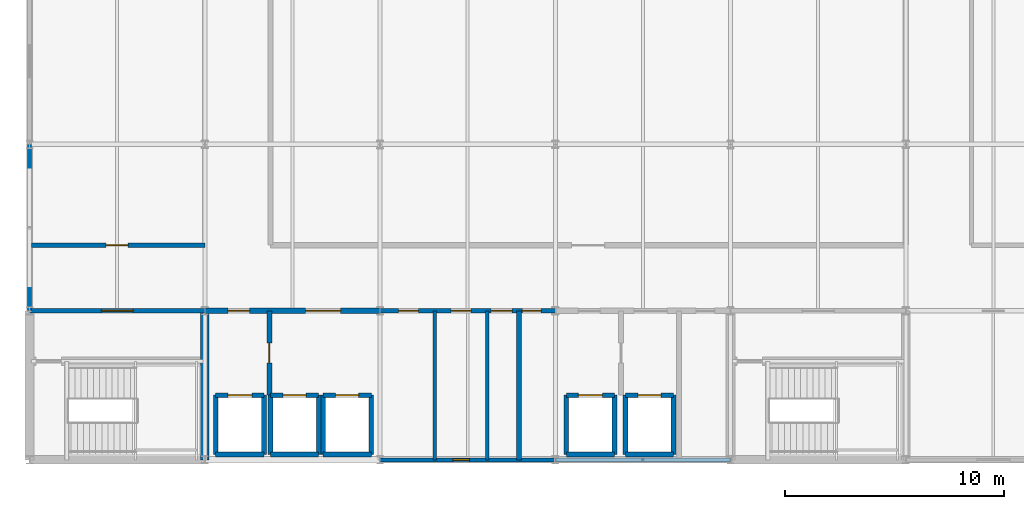
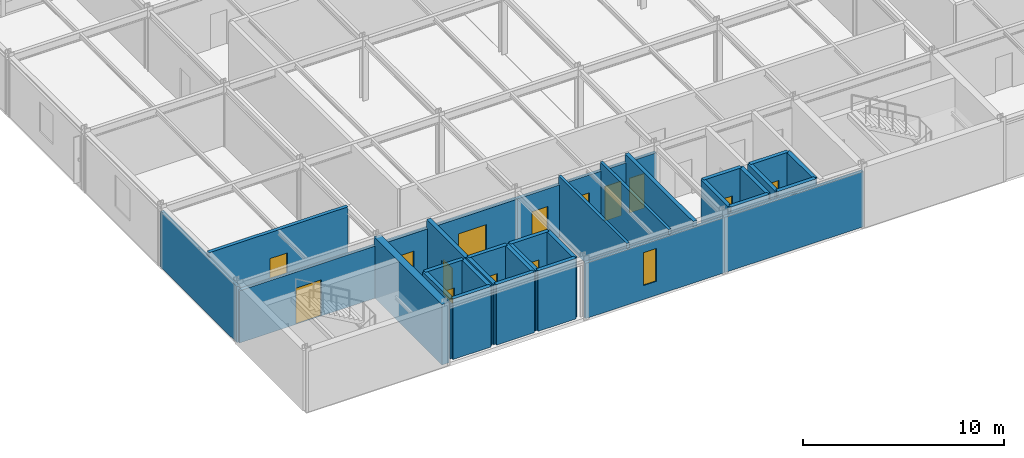
# One storey, part 11 of 15: 32 walls, 14 doors, 1 window, 15 openings.
"""IFC4 building model written with IfcOpenShell, lengths in metres."""

from ifc_helpers import new_model, si_unit, direction, frame, frame_2d, origin, place, context, subcontext, project, spatial, rectangle, extrude, material, layer, layer_set, type_object, element, fill, save


model = new_model("IFC4")

# Units and contexts
model_context = context("Model", 3, precision=1e-05, world=origin(), true_north=direction((0.0, 1.0)))
body_context = subcontext(model_context, "Body", "Model", "MODEL_VIEW")
ifc_project = project(units=[si_unit("LENGTHUNIT", "METRE"), si_unit("AREAUNIT", "SQUARE_METRE"), si_unit("VOLUMEUNIT", "CUBIC_METRE"), si_unit("PLANEANGLEUNIT", "RADIAN"), si_unit("MASSUNIT", "GRAM", prefix="KILO")], contexts=[model_context])

# Site, building, storey
site_placement = place(None, origin())
site = spatial("IfcSite", under=ifc_project, at=site_placement, CompositionType="ELEMENT")
building_placement = place(site_placement, origin())
building = spatial("IfcBuilding", under=site, at=building_placement, Name="Shalkamar Park Central Library", CompositionType="ELEMENT")
storey_placement = place(building_placement, frame((0.0, 0.0, 39.89990234375)))
storey = spatial("IfcBuildingStorey", under=building, at=storey_placement, Name="L10", CompositionType="ELEMENT", Elevation=39.89990234375)

# Wall, opening, door
ifc_material_1 = material(Name="Reinforced fire-compartment masonry wall", Category="masonry")
ifc_layer_1 = layer(ifc_material_1, 0.239990234375)
ifc_layer_set_1 = layer_set([ifc_layer_1], Name="CompartmentWall_240")
wall_type_1 = type_object("IfcWallType", Name="Compartment Wall 240", PredefinedType="PARTITIONING", material=ifc_layer_set_1)
wall_1_placement = place(storey_placement, frame((175.949951171875, 251.35009765625, 0.0), z_axis=(0.0, 0.0, 1.0), x_axis=(0.0, 1.0, 0.0)))
wall_1 = element("IfcWall", 1, at=wall_1_placement, inside=storey, type_object=wall_type_1, Name="Interior Partition WL-INT-L10-001", PredefinedType="PARTITIONING", context=body_context, shape_type="SweptSolid", body=[
    extrude(rectangle(XDim=3.849853515625, YDim=0.239990234375, at=frame_2d((1.9248046875, 0.0))), origin(), (0.0, 0.0, 1.0), 3.68017578125),
])
opening_1_placement = place(wall_1_placement, frame((1.47509765625, 0.0, 0.0)))
opening_1 = element("IfcOpeningElement", 2, at=opening_1_placement, cuts=wall_1, Name="Opening DR-L10-001", PredefinedType="OPENING", context=body_context, shape_type="SweptSolid", body=[
    extrude(rectangle(XDim=0.89990234375, YDim=2.10009765625, at=frame_2d((0.449951171875, 1.050048828125))), frame((0.0, 0.134765625, 0.0), z_axis=(0.0, -1.0, 0.0), x_axis=(1.0, 0.0, 0.0)), (0.0, 0.0, 1.0), 0.269775390625),
])
ifc_material_2 = material(Name="Steel S355", Category="steel")
door_type_1 = type_object("IfcDoorType", Name="Fire Door Single 900x2100", OperationType="NOTDEFINED", PredefinedType="DOOR", material=ifc_material_2)
door_1_placement = place(opening_1_placement, origin())
door_1 = element("IfcDoor", 3, at=door_1_placement, inside=storey, type_object=door_type_1, Name="Fire Lobby Interconnect Door", OperationType="SINGLE_SWING_LEFT", OverallHeight=2.10009765625, OverallWidth=0.89990234375, PredefinedType="DOOR", context=body_context, shape_type="SweptSolid", body=[
    extrude(rectangle(XDim=0.89990234375, YDim=2.10009765625, at=frame_2d((0.449951171875, 1.050048828125))), frame((0.0, 0.02490234375, 0.0), z_axis=(0.0, -1.0, 0.0), x_axis=(1.0, 0.0, 0.0)), (0.0, 0.0, 1.0), 0.050048828125),
])
fill(opening_1, door_1)

# Wall, openings, doors
wall_2_placement = place(storey_placement, frame((173.0, 255.199951171875, 0.0), z_axis=(0.0, 0.0, 1.0), x_axis=(1.0, 0.0, 0.0)))
wall_2 = element("IfcWall", 4, at=wall_2_placement, inside=storey, type_object=wall_type_1, Name="Interior Partition WL-INT-L10-007", PredefinedType="PARTITIONING", context=body_context, shape_type="SweptSolid", body=[
    extrude(rectangle(XDim=8.0, YDim=0.239990234375, at=frame_2d((4.0, 0.0))), origin(), (0.0, 0.0, 1.0), 3.177978515625),
])
opening_2_placement = place(wall_2_placement, frame((1.050048828125, 0.0, 0.0)))
opening_2 = element("IfcOpeningElement", 5, at=opening_2_placement, cuts=wall_2, Name="Opening DR-L10-003", PredefinedType="OPENING", context=body_context, shape_type="SweptSolid", body=[
    extrude(rectangle(XDim=1.0, YDim=2.10009765625, at=frame_2d((0.5, 1.050048828125))), frame((0.0, 0.134765625, 0.0), z_axis=(0.0, -1.0, 0.0), x_axis=(1.0, 0.0, 0.0)), (0.0, 0.0, 1.0), 0.269775390625),
])
opening_3_placement = place(wall_2_placement, frame((4.60009765625, 0.0, 0.0)))
opening_3 = element("IfcOpeningElement", 6, at=opening_3_placement, cuts=wall_2, Name="Opening DR-L10-004", PredefinedType="OPENING", context=body_context, shape_type="SweptSolid", body=[
    extrude(rectangle(XDim=1.60009765625, YDim=2.25, at=frame_2d((0.800048828125, 1.125))), frame((0.0, 0.134765625, 0.0), z_axis=(0.0, -1.0, 0.0), x_axis=(1.0, 0.0, 0.0)), (0.0, 0.0, 1.0), 0.269775390625),
])
door_type_2 = type_object("IfcDoorType", Name="Fire Door Single 1000x2100", OperationType="NOTDEFINED", PredefinedType="DOOR", material=ifc_material_2)
door_2_placement = place(opening_2_placement, origin())
door_2 = element("IfcDoor", 7, at=door_2_placement, inside=storey, type_object=door_type_2, Name="West Firefighting Lobby Door", OperationType="SINGLE_SWING_LEFT", OverallHeight=2.10009765625, OverallWidth=1.0, PredefinedType="DOOR", context=body_context, shape_type="SweptSolid", body=[
    extrude(rectangle(XDim=1.0, YDim=2.10009765625, at=frame_2d((0.5, 1.050048828125))), frame((0.0, 0.02490234375, 0.0), z_axis=(0.0, -1.0, 0.0), x_axis=(1.0, 0.0, 0.0)), (0.0, 0.0, 1.0), 0.050048828125),
])
fill(opening_2, door_2)
door_type_3 = type_object("IfcDoorType", Name="Interior Door Double 1600x2250", OperationType="DOUBLE_DOOR_SINGLE_SWING", PredefinedType="DOOR", material=ifc_material_2)
door_3_placement = place(opening_3_placement, frame((1.60009765625, 0.0, 0.0), z_axis=(0.0, 0.0, 1.0), x_axis=(-1.0, 0.0, 0.0)))
door_3 = element("IfcDoor", 8, at=door_3_placement, inside=storey, type_object=door_type_3, Name="West Lift Lobby Entrance", OperationType="DOUBLE_DOOR_SINGLE_SWING", OverallHeight=2.25, OverallWidth=1.60009765625, PredefinedType="DOOR", context=body_context, shape_type="SweptSolid", body=[
    extrude(rectangle(XDim=1.60009765625, YDim=2.25, at=frame_2d((0.800048828125, 1.125))), frame((0.0, 0.02490234375, 0.0), z_axis=(0.0, -1.0, 0.0), x_axis=(1.0, 0.0, 0.0)), (0.0, 0.0, 1.0), 0.050048828125),
])
fill(opening_3, door_3)

# Wall, opening, door
ifc_material_3 = material(Name="Fire-rated corridor partition wall", Category="masonry")
ifc_layer_2 = layer(ifc_material_3, 0.199951171875)
ifc_layer_set_2 = layer_set([ifc_layer_2], Name="CorridorFireWall_200")
wall_type_2 = type_object("IfcWallType", Name="Corridor Fire Wall 200", PredefinedType="PARTITIONING", material=ifc_layer_set_2)
wall_3_placement = place(storey_placement, frame((165.0, 255.199951171875, 0.0), z_axis=(0.0, 0.0, 1.0), x_axis=(1.0, 0.0, 0.0)))
wall_3 = element("IfcWall", 9, at=wall_3_placement, inside=storey, type_object=wall_type_2, Name="CORE-T1 Vestibule North Wall (L10)", PredefinedType="PARTITIONING", context=body_context, shape_type="SweptSolid", body=[
    extrude(rectangle(XDim=8.0, YDim=0.199951171875, at=frame_2d((4.0, 0.0))), origin(), (0.0, 0.0, 1.0), 3.177978515625),
])
opening_4_placement = place(wall_3_placement, frame((3.27490234375, 0.0, 0.0)))
opening_4 = element("IfcOpeningElement", 10, at=opening_4_placement, cuts=wall_3, Name="Opening DR-ST-T1-L10-VEST", PredefinedType="OPENING", context=body_context, shape_type="SweptSolid", body=[
    extrude(rectangle(XDim=1.449951171875, YDim=2.199951171875, at=frame_2d((0.72509765625, 1.10009765625))), frame((0.0, 0.11474609375, 0.0), z_axis=(0.0, -1.0, 0.0), x_axis=(1.0, 0.0, 0.0)), (0.0, 0.0, 1.0), 0.229736328125),
])
door_type_4 = type_object("IfcDoorType", Name="Stair Vestibule Door 1450x2200", OperationType="DOUBLE_DOOR_SINGLE_SWING", PredefinedType="DOOR", material=ifc_material_2)
door_4_placement = place(opening_4_placement, frame((1.449951171875, 0.0, 0.0), z_axis=(0.0, 0.0, 1.0), x_axis=(-1.0, 0.0, 0.0)))
door_4 = element("IfcDoor", 11, at=door_4_placement, inside=storey, type_object=door_type_4, Name="Protected Stair ST-T1 Vestibule Door (L10)", OperationType="DOUBLE_DOOR_SINGLE_SWING", OverallHeight=2.199951171875, OverallWidth=1.449951171875, PredefinedType="DOOR", context=body_context, shape_type="SweptSolid", body=[
    extrude(rectangle(XDim=1.449951171875, YDim=2.199951171875, at=frame_2d((0.72509765625, 1.10009765625))), frame((0.0, 0.02490234375, 0.0), z_axis=(0.0, -1.0, 0.0), x_axis=(1.0, 0.0, 0.0)), (0.0, 0.0, 1.0), 0.050048828125),
])
fill(opening_4, door_4)

# Wall, openings, doors
wall_4_placement = place(storey_placement, frame((181.0, 255.199951171875, 0.0), z_axis=(0.0, 0.0, 1.0), x_axis=(1.0, 0.0, 0.0)))
wall_4 = element("IfcWall", 12, at=wall_4_placement, inside=storey, type_object=wall_type_2, Name="Interior Partition WL-INT-L10-008", PredefinedType="PARTITIONING", context=body_context, shape_type="SweptSolid", body=[
    extrude(rectangle(XDim=8.0, YDim=0.199951171875, at=frame_2d((4.0, 0.0))), origin(), (0.0, 0.0, 1.0), 3.177978515625),
])
opening_5_placement = place(wall_4_placement, frame((0.85009765625, 0.0, 0.0)))
opening_5 = element("IfcOpeningElement", 13, at=opening_5_placement, cuts=wall_4, Name="Opening DR-L10-005", PredefinedType="OPENING", context=body_context, shape_type="SweptSolid", body=[
    extrude(rectangle(XDim=0.89990234375, YDim=2.10009765625, at=frame_2d((0.449951171875, 1.050048828125))), frame((0.0, 0.11474609375, 0.0), z_axis=(0.0, -1.0, 0.0), x_axis=(1.0, 0.0, 0.0)), (0.0, 0.0, 1.0), 0.229736328125),
])
opening_6_placement = place(wall_4_placement, frame((3.25, 0.0, 0.0)))
opening_6 = element("IfcOpeningElement", 14, at=opening_6_placement, cuts=wall_4, Name="Opening DR-L10-006", PredefinedType="OPENING", context=body_context, shape_type="SweptSolid", body=[
    extrude(rectangle(XDim=0.89990234375, YDim=2.10009765625, at=frame_2d((0.449951171875, 1.050048828125))), frame((0.0, 0.11474609375, 0.0), z_axis=(0.0, -1.0, 0.0), x_axis=(1.0, 0.0, 0.0)), (0.0, 0.0, 1.0), 0.229736328125),
])
opening_7_placement = place(wall_4_placement, frame((5.074951171875, 0.0, 0.0)))
opening_7 = element("IfcOpeningElement", 15, at=opening_7_placement, cuts=wall_4, Name="Opening DR-L10-007", PredefinedType="OPENING", context=body_context, shape_type="SweptSolid", body=[
    extrude(rectangle(XDim=0.949951171875, YDim=2.10009765625, at=frame_2d((0.47509765625, 1.050048828125))), frame((0.0, 0.11474609375, 0.0), z_axis=(0.0, -1.0, 0.0), x_axis=(1.0, 0.0, 0.0)), (0.0, 0.0, 1.0), 0.229736328125),
])
opening_8_placement = place(wall_4_placement, frame((6.5, 0.0, 0.0)))
opening_8 = element("IfcOpeningElement", 16, at=opening_8_placement, cuts=wall_4, Name="Opening DR-L10-008", PredefinedType="OPENING", context=body_context, shape_type="SweptSolid", body=[
    extrude(rectangle(XDim=0.85009765625, YDim=2.10009765625, at=frame_2d((0.425048828125, 1.050048828125))), frame((0.0, 0.11474609375, 0.0), z_axis=(0.0, -1.0, 0.0), x_axis=(1.0, 0.0, 0.0)), (0.0, 0.0, 1.0), 0.229736328125),
])
door_type_5 = type_object("IfcDoorType", Name="Fire Door Riser 850x2100", OperationType="NOTDEFINED", PredefinedType="DOOR", material=ifc_material_2)
door_5_placement = place(opening_8_placement, frame((0.85009765625, 0.0, 0.0), z_axis=(0.0, 0.0, 1.0), x_axis=(-1.0, 0.0, 0.0)))
door_5 = element("IfcDoor", 17, at=door_5_placement, inside=storey, type_object=door_type_5, Name="Electrical Riser Access Door", OperationType="SINGLE_SWING_LEFT", OverallHeight=2.10009765625, OverallWidth=0.85009765625, PredefinedType="DOOR", context=body_context, shape_type="SweptSolid", body=[
    extrude(rectangle(XDim=0.85009765625, YDim=2.10009765625, at=frame_2d((0.425048828125, 1.050048828125))), frame((0.0, 0.02490234375, 0.0), z_axis=(0.0, -1.0, 0.0), x_axis=(1.0, 0.0, 0.0)), (0.0, 0.0, 1.0), 0.050048828125),
])
fill(opening_8, door_5)
door_type_6 = type_object("IfcDoorType", Name="Interior Door Single 900x2100", OperationType="NOTDEFINED", PredefinedType="DOOR", material=ifc_material_2)
door_6_placement = place(opening_5_placement, frame((0.89990234375, 0.0, 0.0), z_axis=(0.0, 0.0, 1.0), x_axis=(-1.0, 0.0, 0.0)))
door_6 = element("IfcDoor", 18, at=door_6_placement, inside=storey, type_object=door_type_6, Name="Male WC Door", OperationType="SINGLE_SWING_RIGHT", OverallHeight=2.10009765625, OverallWidth=0.89990234375, PredefinedType="DOOR", context=body_context, shape_type="SweptSolid", body=[
    extrude(rectangle(XDim=0.89990234375, YDim=2.10009765625, at=frame_2d((0.449951171875, 1.050048828125))), frame((0.0, 0.02490234375, 0.0), z_axis=(0.0, -1.0, 0.0), x_axis=(1.0, 0.0, 0.0)), (0.0, 0.0, 1.0), 0.050048828125),
])
fill(opening_5, door_6)
door_7_placement = place(opening_6_placement, frame((0.89990234375, 0.0, 0.0), z_axis=(0.0, 0.0, 1.0), x_axis=(-1.0, 0.0, 0.0)))
door_7 = element("IfcDoor", 19, at=door_7_placement, inside=storey, type_object=door_type_6, Name="Female WC Door", OperationType="SINGLE_SWING_RIGHT", OverallHeight=2.10009765625, OverallWidth=0.89990234375, PredefinedType="DOOR", context=body_context, shape_type="SweptSolid", body=[
    extrude(rectangle(XDim=0.89990234375, YDim=2.10009765625, at=frame_2d((0.449951171875, 1.050048828125))), frame((0.0, 0.02490234375, 0.0), z_axis=(0.0, -1.0, 0.0), x_axis=(1.0, 0.0, 0.0)), (0.0, 0.0, 1.0), 0.050048828125),
])
fill(opening_6, door_7)
door_type_7 = type_object("IfcDoorType", Name="Interior Door Single 950x2100", OperationType="NOTDEFINED", PredefinedType="DOOR", material=ifc_material_2)
door_8_placement = place(opening_7_placement, frame((0.949951171875, 0.0, 0.0), z_axis=(0.0, 0.0, 1.0), x_axis=(-1.0, 0.0, 0.0)))
door_8 = element("IfcDoor", 20, at=door_8_placement, inside=storey, type_object=door_type_7, Name="Universal Accessible WC Door", OperationType="SINGLE_SWING_LEFT", OverallHeight=2.10009765625, OverallWidth=0.949951171875, PredefinedType="DOOR", context=body_context, shape_type="SweptSolid", body=[
    extrude(rectangle(XDim=0.949951171875, YDim=2.10009765625, at=frame_2d((0.47509765625, 1.050048828125))), frame((0.0, 0.02490234375, 0.0), z_axis=(0.0, -1.0, 0.0), x_axis=(1.0, 0.0, 0.0)), (0.0, 0.0, 1.0), 0.050048828125),
])
fill(opening_7, door_8)

# Wall, opening, door
wall_5_placement = place(storey_placement, frame((165.0, 258.199951171875, 0.0), z_axis=(0.0, 0.0, 1.0), x_axis=(1.0, 0.0, 0.0)))
wall_5 = element("IfcWall", 21, at=wall_5_placement, inside=storey, type_object=wall_type_2, Name="Interior Partition WL-INT-L10-015", PredefinedType="PARTITIONING", context=body_context, shape_type="SweptSolid", body=[
    extrude(rectangle(XDim=8.0, YDim=0.199951171875, at=frame_2d((4.0, 0.0))), origin(), (0.0, 0.0, 1.0), 3.68017578125),
])
opening_9_placement = place(wall_5_placement, frame((3.5, 0.0, 0.0)))
opening_9 = element("IfcOpeningElement", 22, at=opening_9_placement, cuts=wall_5, Name="Opening DR-L10-015", PredefinedType="OPENING", context=body_context, shape_type="SweptSolid", body=[
    extrude(rectangle(XDim=1.0, YDim=2.10009765625, at=frame_2d((0.5, 1.050048828125))), frame((0.0, 0.11474609375, 0.0), z_axis=(0.0, -1.0, 0.0), x_axis=(1.0, 0.0, 0.0)), (0.0, 0.0, 1.0), 0.229736328125),
])
door_type_8 = type_object("IfcDoorType", Name="Interior Door Single 1000x2100", OperationType="NOTDEFINED", PredefinedType="DOOR", material=ifc_material_2)
door_9_placement = place(opening_9_placement, origin())
door_9 = element("IfcDoor", 23, at=door_9_placement, inside=storey, type_object=door_type_8, Name="L10 Digital Humanities Lab A Door", OperationType="SINGLE_SWING_RIGHT", OverallHeight=2.10009765625, OverallWidth=1.0, PredefinedType="DOOR", context=body_context, shape_type="SweptSolid", body=[
    extrude(rectangle(XDim=1.0, YDim=2.10009765625, at=frame_2d((0.5, 1.050048828125))), frame((0.0, 0.02490234375, 0.0), z_axis=(0.0, -1.0, 0.0), x_axis=(1.0, 0.0, 0.0)), (0.0, 0.0, 1.0), 0.050048828125),
])
fill(opening_9, door_9)

# Walls
ifc_material_4 = material(Name="Concrete C40/50", Category="concrete")
ifc_layer_3 = layer(ifc_material_4, 0.219970703125)
ifc_layer_set_3 = layer_set([ifc_layer_3], Name="Concrete C40/50")
wall_type_3 = type_object("IfcWallType", Name="Lift Hoistway Shear Wall 220", PredefinedType="SHEAR", material=ifc_layer_set_3)
wall_6_placement = place(storey_placement, frame((173.5, 248.64990234375, 0.0), z_axis=(0.0, 0.0, 1.0), x_axis=(1.0, 0.0, 0.0)))
element("IfcWall", 24, at=wall_6_placement, inside=storey, type_object=wall_type_3, Name="Lift FFL-01 Hoistway South Wall (L10)", PredefinedType="SHEAR", context=body_context, shape_type="SweptSolid", body=[
    extrude(rectangle(XDim=2.199951171875, YDim=0.219970703125, at=frame_2d((1.10009765625, 0.0))), origin(), (0.0, 0.0, 1.0), 3.68017578125),
])
for number, where, z_axis, x_axis, name in (
    (25, (173.5, 248.64990234375, 0.0), (0.0, 0.0, 1.0), (0.0, 1.0, 0.0), "Lift FFL-01 Hoistway West Wall (L10)"),
    (26, (175.699951171875, 248.64990234375, 0.0), (0.0, 0.0, 1.0), (0.0, 1.0, 0.0), "Lift FFL-01 Hoistway East Wall (L10)"),
):
    element("IfcWall", number, at=place(storey_placement, frame(where, z_axis=z_axis, x_axis=x_axis)), inside=storey, type_object=wall_type_3, Name=name, PredefinedType="SHEAR", context=body_context, shape_type="SweptSolid", body=[
        extrude(rectangle(XDim=2.7001953125, YDim=0.219970703125, at=frame_2d((1.35009765625, 0.0))), origin(), (0.0, 0.0, 1.0), 3.68017578125),
    ])

# Wall, opening, door
wall_7_placement = place(storey_placement, frame((173.5, 251.35009765625, 0.0), z_axis=(0.0, 0.0, 1.0), x_axis=(1.0, 0.0, 0.0)))
wall_7 = element("IfcWall", 27, at=wall_7_placement, inside=storey, type_object=wall_type_3, Name="Lift FFL-01 Hoistway Front Wall (L10)", PredefinedType="SHEAR", context=body_context, shape_type="SweptSolid", body=[
    extrude(rectangle(XDim=2.199951171875, YDim=0.219970703125, at=frame_2d((1.10009765625, 0.0))), origin(), (0.0, 0.0, 1.0), 3.68017578125),
])
opening_10_placement = place(wall_7_placement, frame((0.550048828125, 0.0, 0.0)))
opening_10 = element("IfcOpeningElement", 28, at=opening_10_placement, cuts=wall_7, Name="Opening LD-FFL-01-L10", PredefinedType="OPENING", context=body_context, shape_type="SweptSolid", body=[
    extrude(rectangle(XDim=1.10009765625, YDim=2.14990234375, at=frame_2d((0.550048828125, 1.074951171875))), frame((0.0, 0.125, 0.0), z_axis=(0.0, -1.0, 0.0), x_axis=(1.0, 0.0, 0.0)), (0.0, 0.0, 1.0), 0.249755859375),
])
door_type_9 = type_object("IfcDoorType", Name="Fire Lift Landing Door 1100x2150", OperationType="DOUBLE_DOOR_SLIDING", PredefinedType="USERDEFINED", material=ifc_material_2)
door_10_placement = place(opening_10_placement, origin())
door_10 = element("IfcDoor", 29, at=door_10_placement, inside=storey, type_object=door_type_9, Name="Lift FFL-01 Sliding Landing Door (L10)", ObjectType="SLIDING LANDING DOOR", OperationType="DOUBLE_DOOR_SLIDING", OverallHeight=2.14990234375, OverallWidth=1.10009765625, PredefinedType="USERDEFINED", context=body_context, shape_type="SweptSolid", body=[
    extrude(rectangle(XDim=1.10009765625, YDim=2.14990234375, at=frame_2d((0.550048828125, 1.074951171875))), frame((0.0, 0.02490234375, 0.0), z_axis=(0.0, -1.0, 0.0), x_axis=(1.0, 0.0, 0.0)), (0.0, 0.0, 1.0), 0.050048828125),
])
fill(opening_10, door_10)

# Walls
wall_8_placement = place(storey_placement, frame((176.0, 248.64990234375, 0.0), z_axis=(0.0, 0.0, 1.0), x_axis=(1.0, 0.0, 0.0)))
element("IfcWall", 30, at=wall_8_placement, inside=storey, type_object=wall_type_3, Name="Lift LT-01 Hoistway South Wall (L10)", PredefinedType="SHEAR", context=body_context, shape_type="SweptSolid", body=[
    extrude(rectangle(XDim=2.199951171875, YDim=0.219970703125, at=frame_2d((1.10009765625, 0.0))), origin(), (0.0, 0.0, 1.0), 3.68017578125),
])
for number, where, z_axis, x_axis, name in (
    (31, (176.0, 248.64990234375, 0.0), (0.0, 0.0, 1.0), (0.0, 1.0, 0.0), "Lift LT-01 Hoistway West Wall (L10)"),
    (32, (178.199951171875, 248.64990234375, 0.0), (0.0, 0.0, 1.0), (0.0, 1.0, 0.0), "Lift LT-01 Hoistway East Wall (L10)"),
):
    element("IfcWall", number, at=place(storey_placement, frame(where, z_axis=z_axis, x_axis=x_axis)), inside=storey, type_object=wall_type_3, Name=name, PredefinedType="SHEAR", context=body_context, shape_type="SweptSolid", body=[
        extrude(rectangle(XDim=2.7001953125, YDim=0.219970703125, at=frame_2d((1.35009765625, 0.0))), origin(), (0.0, 0.0, 1.0), 3.68017578125),
    ])

# Wall, opening, door
wall_9_placement = place(storey_placement, frame((176.0, 251.35009765625, 0.0), z_axis=(0.0, 0.0, 1.0), x_axis=(1.0, 0.0, 0.0)))
wall_9 = element("IfcWall", 33, at=wall_9_placement, inside=storey, type_object=wall_type_3, Name="Lift LT-01 Hoistway Front Wall (L10)", PredefinedType="SHEAR", context=body_context, shape_type="SweptSolid", body=[
    extrude(rectangle(XDim=2.199951171875, YDim=0.219970703125, at=frame_2d((1.10009765625, 0.0))), origin(), (0.0, 0.0, 1.0), 3.68017578125),
])
opening_11_placement = place(wall_9_placement, frame((0.574951171875, 0.0, 0.0)))
opening_11 = element("IfcOpeningElement", 34, at=opening_11_placement, cuts=wall_9, Name="Opening LD-LT-01-L10", PredefinedType="OPENING", context=body_context, shape_type="SweptSolid", body=[
    extrude(rectangle(XDim=1.050048828125, YDim=2.14990234375, at=frame_2d((0.52490234375, 1.074951171875))), frame((0.0, 0.125, 0.0), z_axis=(0.0, -1.0, 0.0), x_axis=(1.0, 0.0, 0.0)), (0.0, 0.0, 1.0), 0.249755859375),
])
door_type_10 = type_object("IfcDoorType", Name="Passenger Lift Landing Door 1050x2150", OperationType="DOUBLE_DOOR_SLIDING", PredefinedType="USERDEFINED", material=ifc_material_2)
door_11_placement = place(opening_11_placement, origin())
door_11 = element("IfcDoor", 35, at=door_11_placement, inside=storey, type_object=door_type_10, Name="Lift LT-01 Sliding Landing Door (L10)", ObjectType="SLIDING LANDING DOOR", OperationType="DOUBLE_DOOR_SLIDING", OverallHeight=2.14990234375, OverallWidth=1.050048828125, PredefinedType="USERDEFINED", context=body_context, shape_type="SweptSolid", body=[
    extrude(rectangle(XDim=1.050048828125, YDim=2.14990234375, at=frame_2d((0.52490234375, 1.074951171875))), frame((0.0, 0.02490234375, 0.0), z_axis=(0.0, -1.0, 0.0), x_axis=(1.0, 0.0, 0.0)), (0.0, 0.0, 1.0), 0.050048828125),
])
fill(opening_11, door_11)

# Walls
wall_10_placement = place(storey_placement, frame((178.39990234375, 248.64990234375, 0.0), z_axis=(0.0, 0.0, 1.0), x_axis=(1.0, 0.0, 0.0)))
element("IfcWall", 36, at=wall_10_placement, inside=storey, type_object=wall_type_3, Name="Lift LT-02 Hoistway South Wall (L10)", PredefinedType="SHEAR", context=body_context, shape_type="SweptSolid", body=[
    extrude(rectangle(XDim=2.2001953125, YDim=0.219970703125, at=frame_2d((1.10009765625, 0.0))), origin(), (0.0, 0.0, 1.0), 3.68017578125),
])
for number, where, z_axis, x_axis, name in (
    (37, (178.39990234375, 248.64990234375, 0.0), (0.0, 0.0, 1.0), (0.0, 1.0, 0.0), "Lift LT-02 Hoistway West Wall (L10)"),
    (38, (180.60009765625, 248.64990234375, 0.0), (0.0, 0.0, 1.0), (0.0, 1.0, 0.0), "Lift LT-02 Hoistway East Wall (L10)"),
):
    element("IfcWall", number, at=place(storey_placement, frame(where, z_axis=z_axis, x_axis=x_axis)), inside=storey, type_object=wall_type_3, Name=name, PredefinedType="SHEAR", context=body_context, shape_type="SweptSolid", body=[
        extrude(rectangle(XDim=2.7001953125, YDim=0.219970703125, at=frame_2d((1.35009765625, 0.0))), origin(), (0.0, 0.0, 1.0), 3.68017578125),
    ])

# Wall, opening, door
wall_11_placement = place(storey_placement, frame((178.39990234375, 251.35009765625, 0.0), z_axis=(0.0, 0.0, 1.0), x_axis=(1.0, 0.0, 0.0)))
wall_11 = element("IfcWall", 39, at=wall_11_placement, inside=storey, type_object=wall_type_3, Name="Lift LT-02 Hoistway Front Wall (L10)", PredefinedType="SHEAR", context=body_context, shape_type="SweptSolid", body=[
    extrude(rectangle(XDim=2.2001953125, YDim=0.219970703125, at=frame_2d((1.10009765625, 0.0))), origin(), (0.0, 0.0, 1.0), 3.68017578125),
])
opening_12_placement = place(wall_11_placement, frame((0.574951171875, 0.0, 0.0)))
opening_12 = element("IfcOpeningElement", 40, at=opening_12_placement, cuts=wall_11, Name="Opening LD-LT-02-L10", PredefinedType="OPENING", context=body_context, shape_type="SweptSolid", body=[
    extrude(rectangle(XDim=1.050048828125, YDim=2.14990234375, at=frame_2d((0.52490234375, 1.074951171875))), frame((0.0, 0.125, 0.0), z_axis=(0.0, -1.0, 0.0), x_axis=(1.0, 0.0, 0.0)), (0.0, 0.0, 1.0), 0.249755859375),
])
door_12_placement = place(opening_12_placement, origin())
door_12 = element("IfcDoor", 41, at=door_12_placement, inside=storey, type_object=door_type_10, Name="Lift LT-02 Sliding Landing Door (L10)", ObjectType="SLIDING LANDING DOOR", OperationType="DOUBLE_DOOR_SLIDING", OverallHeight=2.14990234375, OverallWidth=1.050048828125, PredefinedType="USERDEFINED", context=body_context, shape_type="SweptSolid", body=[
    extrude(rectangle(XDim=1.050048828125, YDim=2.14990234375, at=frame_2d((0.52490234375, 1.074951171875))), frame((0.0, 0.02490234375, 0.0), z_axis=(0.0, -1.0, 0.0), x_axis=(1.0, 0.0, 0.0)), (0.0, 0.0, 1.0), 0.050048828125),
])
fill(opening_12, door_12)

# Walls
wall_12_placement = place(storey_placement, frame((189.5, 248.64990234375, 0.0), z_axis=(0.0, 0.0, 1.0), x_axis=(1.0, 0.0, 0.0)))
element("IfcWall", 42, at=wall_12_placement, inside=storey, type_object=wall_type_3, Name="Lift FFL-02 Hoistway South Wall (L10)", PredefinedType="SHEAR", context=body_context, shape_type="SweptSolid", body=[
    extrude(rectangle(XDim=2.199951171875, YDim=0.219970703125, at=frame_2d((1.10009765625, 0.0))), origin(), (0.0, 0.0, 1.0), 3.68017578125),
])
for number, where, z_axis, x_axis, name in (
    (43, (189.5, 248.64990234375, 0.0), (0.0, 0.0, 1.0), (0.0, 1.0, 0.0), "Lift FFL-02 Hoistway West Wall (L10)"),
    (44, (191.699951171875, 248.64990234375, 0.0), (0.0, 0.0, 1.0), (0.0, 1.0, 0.0), "Lift FFL-02 Hoistway East Wall (L10)"),
):
    element("IfcWall", number, at=place(storey_placement, frame(where, z_axis=z_axis, x_axis=x_axis)), inside=storey, type_object=wall_type_3, Name=name, PredefinedType="SHEAR", context=body_context, shape_type="SweptSolid", body=[
        extrude(rectangle(XDim=2.7001953125, YDim=0.219970703125, at=frame_2d((1.35009765625, 0.0))), origin(), (0.0, 0.0, 1.0), 3.68017578125),
    ])

# Wall, opening, door
wall_13_placement = place(storey_placement, frame((189.5, 251.35009765625, 0.0), z_axis=(0.0, 0.0, 1.0), x_axis=(1.0, 0.0, 0.0)))
wall_13 = element("IfcWall", 45, at=wall_13_placement, inside=storey, type_object=wall_type_3, Name="Lift FFL-02 Hoistway Front Wall (L10)", PredefinedType="SHEAR", context=body_context, shape_type="SweptSolid", body=[
    extrude(rectangle(XDim=2.199951171875, YDim=0.219970703125, at=frame_2d((1.10009765625, 0.0))), origin(), (0.0, 0.0, 1.0), 3.68017578125),
])
opening_13_placement = place(wall_13_placement, frame((0.550048828125, 0.0, 0.0)))
opening_13 = element("IfcOpeningElement", 46, at=opening_13_placement, cuts=wall_13, Name="Opening LD-FFL-02-L10", PredefinedType="OPENING", context=body_context, shape_type="SweptSolid", body=[
    extrude(rectangle(XDim=1.10009765625, YDim=2.14990234375, at=frame_2d((0.550048828125, 1.074951171875))), frame((0.0, 0.125, 0.0), z_axis=(0.0, -1.0, 0.0), x_axis=(1.0, 0.0, 0.0)), (0.0, 0.0, 1.0), 0.249755859375),
])
door_13_placement = place(opening_13_placement, origin())
door_13 = element("IfcDoor", 47, at=door_13_placement, inside=storey, type_object=door_type_9, Name="Lift FFL-02 Sliding Landing Door (L10)", ObjectType="SLIDING LANDING DOOR", OperationType="DOUBLE_DOOR_SLIDING", OverallHeight=2.14990234375, OverallWidth=1.10009765625, PredefinedType="USERDEFINED", context=body_context, shape_type="SweptSolid", body=[
    extrude(rectangle(XDim=1.10009765625, YDim=2.14990234375, at=frame_2d((0.550048828125, 1.074951171875))), frame((0.0, 0.02490234375, 0.0), z_axis=(0.0, -1.0, 0.0), x_axis=(1.0, 0.0, 0.0)), (0.0, 0.0, 1.0), 0.050048828125),
])
fill(opening_13, door_13)

# Walls
wall_14_placement = place(storey_placement, frame((192.199951171875, 248.64990234375, 0.0), z_axis=(0.0, 0.0, 1.0), x_axis=(1.0, 0.0, 0.0)))
element("IfcWall", 48, at=wall_14_placement, inside=storey, type_object=wall_type_3, Name="Lift LT-03 Hoistway South Wall (L10)", PredefinedType="SHEAR", context=body_context, shape_type="SweptSolid", body=[
    extrude(rectangle(XDim=2.199951171875, YDim=0.219970703125, at=frame_2d((1.10009765625, 0.0))), origin(), (0.0, 0.0, 1.0), 3.68017578125),
])
for number, where, z_axis, x_axis, name in (
    (49, (192.199951171875, 248.64990234375, 0.0), (0.0, 0.0, 1.0), (0.0, 1.0, 0.0), "Lift LT-03 Hoistway West Wall (L10)"),
    (50, (194.39990234375, 248.64990234375, 0.0), (0.0, 0.0, 1.0), (0.0, 1.0, 0.0), "Lift LT-03 Hoistway East Wall (L10)"),
):
    element("IfcWall", number, at=place(storey_placement, frame(where, z_axis=z_axis, x_axis=x_axis)), inside=storey, type_object=wall_type_3, Name=name, PredefinedType="SHEAR", context=body_context, shape_type="SweptSolid", body=[
        extrude(rectangle(XDim=2.7001953125, YDim=0.219970703125, at=frame_2d((1.35009765625, 0.0))), origin(), (0.0, 0.0, 1.0), 3.68017578125),
    ])

# Wall, opening, door
wall_15_placement = place(storey_placement, frame((192.199951171875, 251.35009765625, 0.0), z_axis=(0.0, 0.0, 1.0), x_axis=(1.0, 0.0, 0.0)))
wall_15 = element("IfcWall", 51, at=wall_15_placement, inside=storey, type_object=wall_type_3, Name="Lift LT-03 Hoistway Front Wall (L10)", PredefinedType="SHEAR", context=body_context, shape_type="SweptSolid", body=[
    extrude(rectangle(XDim=2.199951171875, YDim=0.219970703125, at=frame_2d((1.10009765625, 0.0))), origin(), (0.0, 0.0, 1.0), 3.68017578125),
])
opening_14_placement = place(wall_15_placement, frame((0.574951171875, 0.0, 0.0)))
opening_14 = element("IfcOpeningElement", 52, at=opening_14_placement, cuts=wall_15, Name="Opening LD-LT-03-L10", PredefinedType="OPENING", context=body_context, shape_type="SweptSolid", body=[
    extrude(rectangle(XDim=1.050048828125, YDim=2.14990234375, at=frame_2d((0.52490234375, 1.074951171875))), frame((0.0, 0.125, 0.0), z_axis=(0.0, -1.0, 0.0), x_axis=(1.0, 0.0, 0.0)), (0.0, 0.0, 1.0), 0.249755859375),
])
door_14_placement = place(opening_14_placement, origin())
door_14 = element("IfcDoor", 53, at=door_14_placement, inside=storey, type_object=door_type_10, Name="Lift LT-03 Sliding Landing Door (L10)", ObjectType="SLIDING LANDING DOOR", OperationType="DOUBLE_DOOR_SLIDING", OverallHeight=2.14990234375, OverallWidth=1.050048828125, PredefinedType="USERDEFINED", context=body_context, shape_type="SweptSolid", body=[
    extrude(rectangle(XDim=1.050048828125, YDim=2.14990234375, at=frame_2d((0.52490234375, 1.074951171875))), frame((0.0, 0.02490234375, 0.0), z_axis=(0.0, -1.0, 0.0), x_axis=(1.0, 0.0, 0.0)), (0.0, 0.0, 1.0), 0.050048828125),
])
fill(opening_14, door_14)

# Walls
ifc_material_5 = material(Name="Moisture-resistant sanitary partition", Category="masonry")
ifc_layer_4 = layer(ifc_material_5, 0.159912109375)
ifc_layer_set_4 = layer_set([ifc_layer_4], Name="PlumbingChaseWall_160")
wall_type_4 = type_object("IfcWallType", Name="Plumbing Chase Wall 160", PredefinedType="PARTITIONING", material=ifc_layer_set_4)
for number, where, z_axis, x_axis, name in (
    (54, (183.5, 248.39990234375, 0.0), (0.0, 0.0, 1.0), (0.0, 1.0, 0.0), "Interior Partition WL-INT-L10-004"),
    (55, (185.89990234375, 248.39990234375, 0.0), (0.0, 0.0, 1.0), (0.0, 1.0, 0.0), "Interior Partition WL-INT-L10-005"),
):
    element("IfcWall", number, at=place(storey_placement, frame(where, z_axis=z_axis, x_axis=x_axis)), inside=storey, type_object=wall_type_4, Name=name, PredefinedType="PARTITIONING", context=body_context, shape_type="SweptSolid", body=[
        extrude(rectangle(XDim=6.800048828125, YDim=0.159912109375, at=frame_2d((3.39990234375, 0.0))), origin(), (0.0, 0.0, 1.0), 3.68017578125),
    ])
ifc_material_6 = material(Name="Fire-rated shaft enclosure wall", Category="masonry")
ifc_layer_5 = layer(ifc_material_6, 0.219970703125)
ifc_layer_set_5 = layer_set([ifc_layer_5], Name="ShaftWall_220")
wall_type_5 = type_object("IfcWallType", Name="Shaft Wall 220", PredefinedType="PARTITIONING", material=ifc_layer_set_5)
wall_16_placement = place(storey_placement, frame((187.35009765625, 248.39990234375, 0.0), z_axis=(0.0, 0.0, 1.0), x_axis=(0.0, 1.0, 0.0)))
element("IfcWall", 56, at=wall_16_placement, inside=storey, type_object=wall_type_5, Name="Interior Partition WL-INT-L10-006", PredefinedType="PARTITIONING", context=body_context, shape_type="SweptSolid", body=[
    extrude(rectangle(XDim=6.800048828125, YDim=0.219970703125, at=frame_2d((3.39990234375, 0.0))), origin(), (0.0, 0.0, 1.0), 3.68017578125),
])
ifc_layer_6 = layer(ifc_material_4, 0.39990234375)
ifc_layer_set_6 = layer_set([ifc_layer_6], Name="Concrete C40/50")
wall_type_6 = type_object("IfcWallType", Name="Tower Core Shear Wall 400", PredefinedType="SHEAR", material=ifc_layer_set_6)
wall_17_placement = place(storey_placement, frame((173.0, 248.39990234375, 0.0), z_axis=(0.0, 0.0, 1.0), x_axis=(0.0, 1.0, 0.0)))
element("IfcWall", 57, at=wall_17_placement, inside=storey, type_object=wall_type_6, Name="CORE-T1 East Shear Wall (L10)", PredefinedType="SHEAR", context=body_context, shape_type="SweptSolid", body=[
    extrude(rectangle(XDim=6.800048828125, YDim=0.39990234375, at=frame_2d((3.39990234375, 0.0))), origin(), (0.0, 0.0, 1.0), 3.68017578125),
])

# Wall, opening, window
ifc_material_7 = material(Name="Terracotta insulated wall panel", Category="masonry")
ifc_layer_7 = layer(ifc_material_7, 0.179931640625)
ifc_layer_set_7 = layer_set([ifc_layer_7], Name="TowerSpandrelWall_180")
wall_type_7 = type_object("IfcWallType", Name="Tower Spandrel Wall 180", PredefinedType="SOLIDWALL", material=ifc_layer_set_7)
wall_18_placement = place(storey_placement, frame((181.006103515625, 248.39990234375, 0.0), z_axis=(0.0, 0.0, 1.0), x_axis=(1.0, 0.0, 0.0)))
wall_18 = element("IfcWall", 58, at=wall_18_placement, inside=storey, type_object=wall_type_7, Name="Exterior Facade Wall WL-EXT-L10-199", PredefinedType="SOLIDWALL", context=body_context, shape_type="SweptSolid", body=[
    extrude(rectangle(XDim=7.98779296875, YDim=0.179931640625, at=frame_2d((3.993896484375, 0.0))), origin(), (0.0, 0.0, 1.0), 3.3681640625),
])
opening_15_placement = place(wall_18_placement, frame((3.319091796875, 0.0, 0.85009765625)))
opening_15 = element("IfcOpeningElement", 59, at=opening_15_placement, cuts=wall_18, Name="Opening WN-18", PredefinedType="OPENING", context=body_context, shape_type="SweptSolid", body=[
    extrude(rectangle(XDim=0.75, YDim=2.0, at=frame_2d((0.375, 1.0))), frame((0.0, 0.10498046875, 0.0), z_axis=(0.0, -1.0, 0.0), x_axis=(1.0, 0.0, 0.0)), (0.0, 0.0, 1.0), 0.209716796875),
])
ifc_material_8 = material(Name="Thermally broken aluminium and triple low-e glass", Category="glass")
window_type = type_object("IfcWindowType", Name="Archive Slit Window 750x2000", PartitioningType="SINGLE_PANEL", PredefinedType="WINDOW", material=ifc_material_8)
window_placement = place(opening_15_placement, origin())
window = element("IfcWindow", 60, at=window_placement, inside=storey, type_object=window_type, Name="Facade Window WN-L10-142", OverallHeight=2.0, OverallWidth=0.75, PartitioningType="SINGLE_PANEL", PredefinedType="WINDOW", context=body_context, shape_type="SweptSolid", body=[
    extrude(rectangle(XDim=0.75, YDim=2.0, at=frame_2d((0.375, 1.0))), frame((0.0, 0.030029296875, 0.0), z_axis=(0.0, -1.0, 0.0), x_axis=(1.0, 0.0, 0.0)), (0.0, 0.0, 1.0), 0.06005859375),
])
fill(opening_15, window)

# Walls
wall_19_placement = place(storey_placement, frame((189.006103515625, 248.39990234375, 0.0), z_axis=(0.0, 0.0, 1.0), x_axis=(1.0, 0.0, 0.0)))
element("IfcWall", 61, at=wall_19_placement, inside=storey, type_object=wall_type_7, Name="Exterior Facade Wall WL-EXT-L10-200", PredefinedType="SOLIDWALL", context=body_context, shape_type="SweptSolid", body=[
    extrude(rectangle(XDim=7.98779296875, YDim=0.179931640625, at=frame_2d((3.993896484375, 0.0))), origin(), (0.0, 0.0, 1.0), 3.3681640625),
])
wall_20_placement = place(storey_placement, frame((165.0, 255.2060546875, 0.0), z_axis=(0.0, 0.0, 1.0), x_axis=(0.0, 1.0, 0.0)))
element("IfcWall", 62, at=wall_20_placement, inside=storey, type_object=wall_type_7, Name="Exterior Facade Wall WL-EXT-L10-203", PredefinedType="SOLIDWALL", context=body_context, shape_type="SweptSolid", body=[
    extrude(rectangle(XDim=7.587890625, YDim=0.179931640625, at=frame_2d((3.7939453125, 0.0))), origin(), (0.0, 0.0, 1.0), 3.408203125),
])

save(model, "model.ifc")
